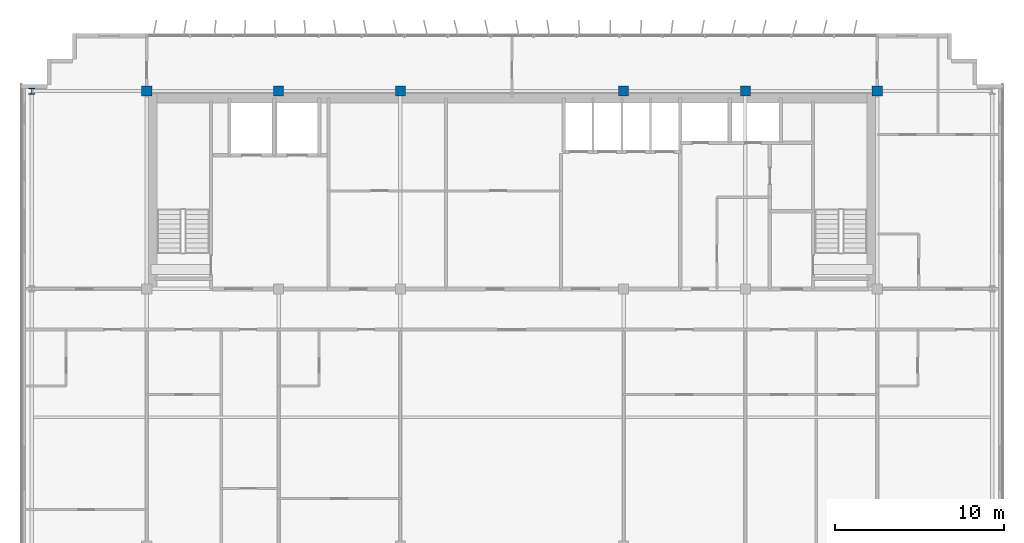
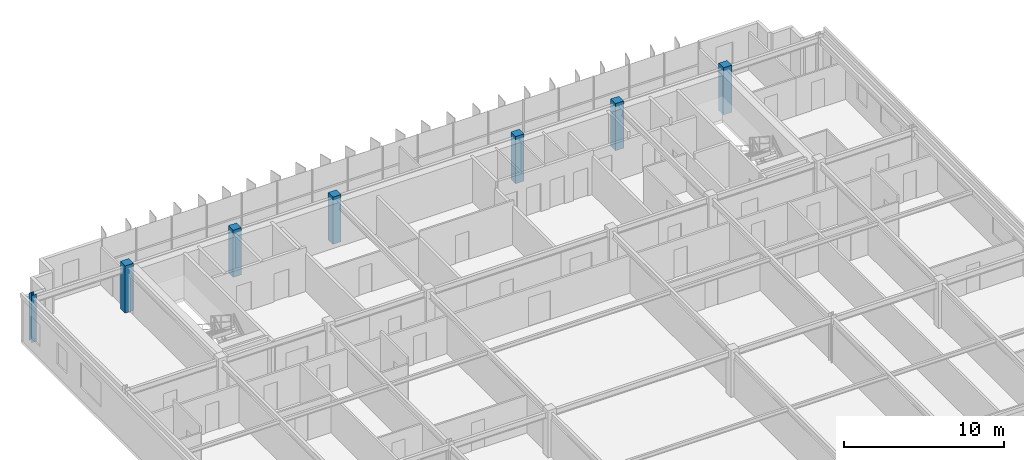
# One storey, part 3 of 22: 7 columns.
"""IFC4 building model written with IfcOpenShell, lengths in metres."""

from ifc_helpers import new_model, si_unit, direction, frame, origin, origin_2d, place, context, subcontext, project, spatial, rectangle, i_section, extrude, source, transform, mapped, material, material_profile, profile_set, type_object, element, save


model = new_model("IFC4")

# Units and contexts
model_context = context("Model", 3, precision=1e-05, world=origin(), true_north=direction((0.0, 1.0)))
body_context = subcontext(model_context, "Body", "Model", "MODEL_VIEW")
ifc_project = project(units=[si_unit("LENGTHUNIT", "METRE"), si_unit("AREAUNIT", "SQUARE_METRE"), si_unit("VOLUMEUNIT", "CUBIC_METRE"), si_unit("PLANEANGLEUNIT", "RADIAN"), si_unit("MASSUNIT", "GRAM", prefix="KILO")], contexts=[model_context])

# Site, building, storey
site_placement = place(None, origin())
site = spatial("IfcSite", under=ifc_project, at=site_placement, CompositionType="ELEMENT")
building_placement = place(site_placement, origin())
building = spatial("IfcBuilding", under=site, at=building_placement, Name="Trelvane Seafront Commons", CompositionType="ELEMENT")
storey_placement = place(building_placement, frame((0.0, 0.0, 277.5)))
storey = spatial("IfcBuildingStorey", under=building, at=storey_placement, Name="L72", CompositionType="ELEMENT", Elevation=277.5)

# Columns
ifc_material_1 = material(Name="Steel SM355 (S355)", Category="steel")
ifc_material_profile_1 = material_profile(ifc_material_1, i_section(OverallWidth=0.35009765625, OverallDepth=0.35009765625, WebThickness=0.01806640625, FlangeThickness=0.028076171875, at=origin_2d()), Name="HD-350x350x18x28")
ifc_profile_set_1 = profile_set([ifc_material_profile_1], Name="Steel SM355 (S355)")
column_type_1 = type_object("IfcColumnType", Name="STR-COL-HD350", PredefinedType="COLUMN", material=ifc_profile_set_1)
shared_shape_1 = source(origin(), body_context, "Body", "SweptSolid", [
    extrude(i_section(OverallWidth=0.35009765625, OverallDepth=0.35009765625, WebThickness=0.01806640625, FlangeThickness=0.028076171875, at=origin_2d()), origin(), (0.0, 0.0, 1.0), 3.60009765625),
])
column_placement = place(storey_placement, frame((8.800048828125, 45.10009765625, 0.0), z_axis=(0.0, 0.0, 1.0), x_axis=(1.0, 0.0, 0.0)))
element("IfcColumn", 1, at=column_placement, inside=storey, type_object=column_type_1, Name="L72 Column TC-CN8.8", PredefinedType="COLUMN", context=body_context, shape_type="MappedRepresentation", body=[
    mapped(shared_shape_1, transform((0.0, 0.0, 0.0), x_axis=(1.0, 0.0, 0.0), y_axis=(0.0, 1.0, 0.0), z_axis=(0.0, 0.0, 1.0), scale=1.0)),
])
ifc_material_2 = material(Name="Concrete C50/60", Category="concrete")
ifc_material_profile_2 = material_profile(ifc_material_2, rectangle(XDim=0.60009765625, YDim=0.60009765625, at=origin_2d()), Name="RC-600x600")
ifc_profile_set_2 = profile_set([ifc_material_profile_2], Name="Concrete C50/60")
column_type_2 = type_object("IfcColumnType", Name="STR-COL-RC600", PredefinedType="COLUMN", material=ifc_profile_set_2)
shared_shape_2 = source(origin(), body_context, "Body", "SweptSolid", [
    extrude(rectangle(XDim=0.60009765625, YDim=0.60009765625, at=origin_2d()), origin(), (0.0, 0.0, 1.0), 3.60009765625),
])
for number, where, z_axis, x_axis, name in (
    (2, (15.60009765625, 45.10009765625, 0.0), (0.0, 0.0, 1.0), (1.0, 0.0, 0.0), "L72 Column TC-CN15.6"),
    (3, (23.39990234375, 45.10009765625, 0.0), (0.0, 0.0, 1.0), (1.0, 0.0, 0.0), "L72 Column TC-CN23.4"),
    (4, (30.60009765625, 45.10009765625, 0.0), (0.0, 0.0, 1.0), (1.0, 0.0, 0.0), "L72 Column TC-CN30.6"),
    (5, (43.800048828125, 45.10009765625, 0.0), (0.0, 0.0, 1.0), (1.0, 0.0, 0.0), "L72 Column TC-CN43.8"),
    (6, (51.0, 45.10009765625, 0.0), (0.0, 0.0, 1.0), (1.0, 0.0, 0.0), "L72 Column TC-CN51.0"),
    (7, (58.800048828125, 45.10009765625, 0.0), (0.0, 0.0, 1.0), (1.0, 0.0, 0.0), "L72 Column TC-CN58.8"),
):
    element("IfcColumn", number, at=place(storey_placement, frame(where, z_axis=z_axis, x_axis=x_axis)), inside=storey, type_object=column_type_2, Name=name, PredefinedType="COLUMN", context=body_context, shape_type="MappedRepresentation", body=[
        mapped(shared_shape_2, transform((0.0, 0.0, 0.0), x_axis=(1.0, 0.0, 0.0), y_axis=(0.0, 1.0, 0.0), z_axis=(0.0, 0.0, 1.0), scale=1.0)),
    ])

save(model, "model.ifc")
